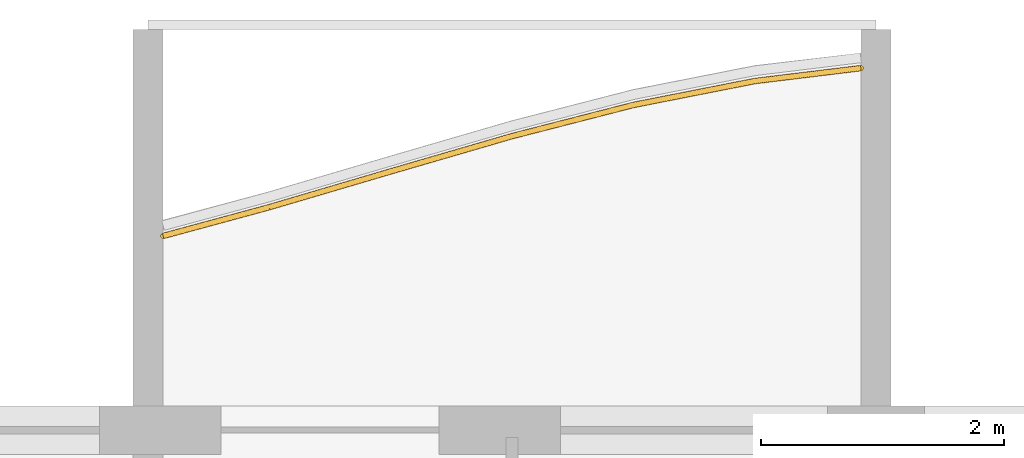
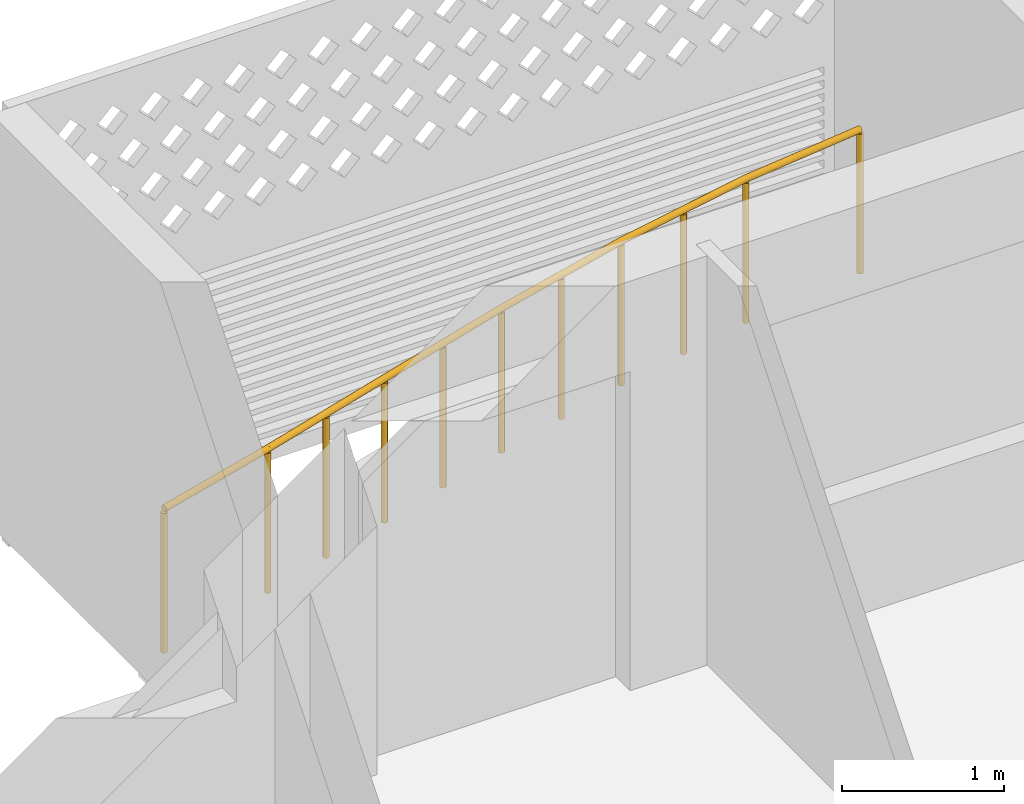
# One storey, part 19 of 28: 1 railing.
"""IFC4 building model written with IfcOpenShell, lengths in metres."""

from ifc_helpers import new_model, si_unit, direction, frame, origin, origin_2d, place, context, subcontext, project, spatial, circle, extrude, material, type_object, element, save


model = new_model("IFC4")

# Units and contexts
model_context = context("Model", 3, precision=1e-05, world=origin(), true_north=direction((0.0, 1.0)))
body_context = subcontext(model_context, "Body", "Model", "MODEL_VIEW")
ifc_project = project(units=[si_unit("LENGTHUNIT", "METRE"), si_unit("AREAUNIT", "SQUARE_METRE"), si_unit("VOLUMEUNIT", "CUBIC_METRE"), si_unit("PLANEANGLEUNIT", "RADIAN"), si_unit("MASSUNIT", "GRAM", prefix="KILO")], contexts=[model_context])

# Site, building, storey
site_placement = place(None, origin())
site = spatial("IfcSite", under=ifc_project, at=site_placement, CompositionType="ELEMENT")
building_placement = place(site_placement, origin())
building = spatial("IfcBuilding", under=site, at=building_placement, Name="Poui Terraces", CompositionType="ELEMENT")
storey_placement = place(building_placement, frame((0.0, 0.0, 181.800048828125)))
storey = spatial("IfcBuildingStorey", under=building, at=storey_placement, Name="L50", CompositionType="ELEMENT", Elevation=181.800048828125)

# Railing
ifc_material = material(Name="Painted steel fretwork", Category="steel")
railing_type = type_object("IfcRailingType", Name="BALCONY GUARD 1100", PredefinedType="GUARDRAIL", material=ifc_material)
railing_placement = place(storey_placement, frame((42.125, 42.800537109375, 0.0)))
element("IfcRailing", 1, at=railing_placement, inside=storey, type_object=railing_type, Name="BALCONY GUARD", PredefinedType="GUARDRAIL", context=body_context, shape_type="SweptSolid", body=[
    extrude(circle(Radius=0.02392578125, at=origin_2d()), frame((0.0, 0.0, 1.076171875), z_axis=(0.965203717149, 0.261499109752, 0.0), x_axis=(-0.261499109752, 0.965203717149, 0.0)), (0.0, 0.0, 1.0), 0.906494140625),
    extrude(circle(Radius=0.02392578125, at=origin_2d()), frame((0.875, 0.237060546875, 1.076171875), z_axis=(0.959219941058, 0.282660758998, 0.0), x_axis=(-0.282660758998, 0.959219941058, 0.0)), (0.0, 0.0, 1.0), 1.04248046875),
    extrude(circle(Radius=0.02392578125, at=origin_2d()), frame((1.875, 0.53173828125, 1.076171875), z_axis=(0.960230728662, 0.279207714316, 0.0), x_axis=(-0.279207714316, 0.960230728662, 0.0)), (0.0, 0.0, 1.0), 1.04150390625),
    extrude(circle(Radius=0.02392578125, at=origin_2d()), frame((2.875, 0.822509765625, 1.076171875), z_axis=(0.968564592705, 0.248762195197, 0.0), x_axis=(-0.248762195197, 0.968564592705, 0.0)), (0.0, 0.0, 1.0), 1.032470703125),
    extrude(circle(Radius=0.02392578125, at=origin_2d()), frame((3.875, 1.079345703125, 1.076171875), z_axis=(0.981138637459, 0.19330539073, 0.0), x_axis=(-0.19330539073, 0.981138637459, 0.0)), (0.0, 0.0, 1.0), 1.019287109375),
    extrude(circle(Radius=0.02392578125, at=origin_2d()), frame((4.875, 1.2763671875, 1.076171875), z_axis=(0.992648312578, 0.121034406416, 0.0), x_axis=(-0.121034406416, 0.992648312578, 0.0)), (0.0, 0.0, 1.0), 0.881591796875),
    extrude(circle(Radius=0.02099609375, at=origin_2d()), origin(), (0.0, 0.0, 1.0), 1.052001953125),
    extrude(circle(Radius=0.02099609375, at=origin_2d()), frame((0.875, 0.237060546875, 0.0)), (0.0, 0.0, 1.0), 1.052001953125),
    extrude(circle(Radius=0.02099609375, at=origin_2d()), frame((1.375, 0.38427734375, 0.0)), (0.0, 0.0, 1.0), 1.052001953125),
    extrude(circle(Radius=0.02099609375, at=origin_2d()), frame((1.875, 0.53173828125, 0.0)), (0.0, 0.0, 1.0), 1.052001953125),
    extrude(circle(Radius=0.02099609375, at=origin_2d()), frame((2.375, 0.67724609375, 0.0)), (0.0, 0.0, 1.0), 1.052001953125),
    extrude(circle(Radius=0.02099609375, at=origin_2d()), frame((2.875, 0.822509765625, 0.0)), (0.0, 0.0, 1.0), 1.052001953125),
    extrude(circle(Radius=0.02099609375, at=origin_2d()), frame((3.375, 0.950927734375, 0.0)), (0.0, 0.0, 1.0), 1.052001953125),
    extrude(circle(Radius=0.02099609375, at=origin_2d()), frame((3.875, 1.079345703125, 0.0)), (0.0, 0.0, 1.0), 1.052001953125),
    extrude(circle(Radius=0.02099609375, at=origin_2d()), frame((4.375, 1.177734375, 0.0)), (0.0, 0.0, 1.0), 1.052001953125),
    extrude(circle(Radius=0.02099609375, at=origin_2d()), frame((4.875, 1.2763671875, 0.0)), (0.0, 0.0, 1.0), 1.052001953125),
    extrude(circle(Radius=0.02099609375, at=origin_2d()), frame((5.75, 1.383056640625, 0.0)), (0.0, 0.0, 1.0), 1.052001953125),
])

save(model, "model.ifc")
